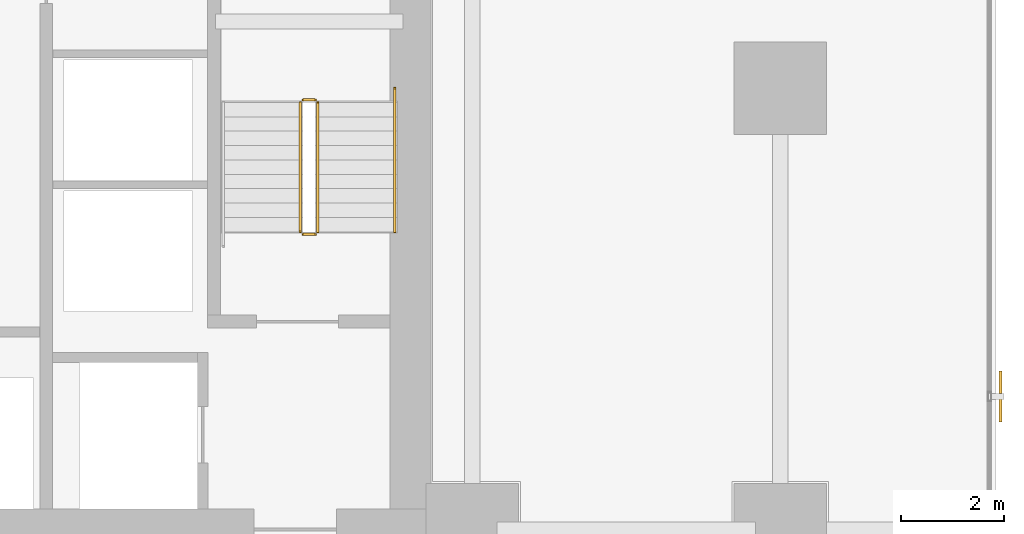
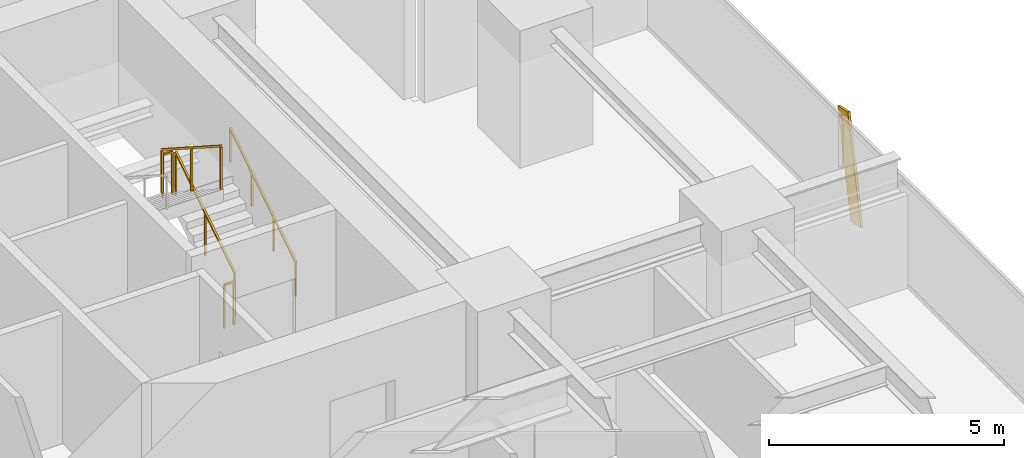
# One storey, part 33 of 34: 5 railings, 1 shading device.
"""IFC4 building model written with IfcOpenShell, lengths in metres."""

from ifc_helpers import new_model, si_unit, direction, frame, origin, origin_2d, place, context, subcontext, project, spatial, rectangle, extrude, source, transform, mapped, material, material_profile, profile_set, type_object, element, save


model = new_model("IFC4")

# Units and contexts
model_context = context("Model", 3, precision=1e-05, world=origin(), true_north=direction((0.0, 1.0)))
body_context = subcontext(model_context, "Body", "Model", "MODEL_VIEW")
ifc_project = project(units=[si_unit("LENGTHUNIT", "METRE"), si_unit("AREAUNIT", "SQUARE_METRE"), si_unit("VOLUMEUNIT", "CUBIC_METRE"), si_unit("PLANEANGLEUNIT", "RADIAN"), si_unit("MASSUNIT", "GRAM", prefix="KILO")], contexts=[model_context])

# Site, building, storey
site_placement = place(None, origin())
site = spatial("IfcSite", under=ifc_project, at=site_placement, CompositionType="ELEMENT")
building_placement = place(site_placement, origin())
building = spatial("IfcBuilding", under=site, at=building_placement, Name="Sumidabori Civic Tower", CompositionType="ELEMENT")
storey_placement = place(building_placement, frame((0.0, 0.0, 41.60009765625)))
storey = spatial("IfcBuildingStorey", under=building, at=storey_placement, Name="L10", CompositionType="ELEMENT", Elevation=41.60009765625)

# Railings
ifc_material_1 = material(Name="Stainless Steel Hairline Finish", Category="steel")
railing_type_1 = type_object("IfcRailingType", Name="RL-HANDRAIL", PredefinedType="HANDRAIL", material=ifc_material_1)
railing_1_placement = place(storey_placement, frame((15.2900390625, 16.0, 0.179931640625)))
element("IfcRailing", 1, at=railing_1_placement, inside=storey, type_object=railing_type_1, Name="L10 ST-2 stair handrail 1", PredefinedType="HANDRAIL", context=body_context, shape_type="SweptSolid", body=[
    extrude(rectangle(XDim=0.048095703125, YDim=0.048095703125, at=origin_2d()), frame((0.0, 0.0, 0.8759765625), z_axis=(0.0, 0.840675598268, 0.541539046124), x_axis=(-1.0, 0.0, 0.0)), (0.0, 0.0, 1.0), 3.330810546875),
    extrude(rectangle(XDim=0.0419921875, YDim=0.0419921875, at=origin_2d()), origin(), (0.0, 0.0, 1.0), 0.851806640625),
    extrude(rectangle(XDim=0.0419921875, YDim=0.0419921875, at=origin_2d()), frame((0.0, 0.933349609375, 0.601318359375)), (0.0, 0.0, 1.0), 0.851806640625),
    extrude(rectangle(XDim=0.0419921875, YDim=0.0419921875, at=origin_2d()), frame((0.0, 1.86669921875, 1.202392578125)), (0.0, 0.0, 1.0), 0.851806640625),
    extrude(rectangle(XDim=0.0419921875, YDim=0.0419921875, at=origin_2d()), frame((0.0, 2.800048828125, 1.8037109375)), (0.0, 0.0, 1.0), 0.851806640625),
])
ifc_material_2 = material(Name="Steel SN490", Category="steel")
railing_type_2 = type_object("IfcRailingType", Name="RL-STAIR-GUARD", PredefinedType="GUARDRAIL", material=ifc_material_2)
railing_2_placement = place(storey_placement, frame((13.7900390625, 16.0, 0.179931640625)))
element("IfcRailing", 2, at=railing_2_placement, inside=storey, type_object=railing_type_2, Name="L10 ST-2 stair guard 1", PredefinedType="GUARDRAIL", context=body_context, shape_type="SweptSolid", body=[
    extrude(rectangle(XDim=0.048095703125, YDim=0.048095703125, at=origin_2d()), frame((0.0, 0.0, 1.1259765625), z_axis=(0.0, 0.841199657755, 0.540724639528), x_axis=(-1.0, 0.0, 0.0)), (0.0, 0.0, 1.0), 2.995849609375),
    extrude(rectangle(XDim=0.0419921875, YDim=0.0419921875, at=origin_2d()), origin(), (0.0, 0.0, 1.0), 1.101806640625),
    extrude(rectangle(XDim=0.0419921875, YDim=0.0419921875, at=origin_2d()), frame((0.0, 1.260009765625, 0.81005859375)), (0.0, 0.0, 1.0), 1.101806640625),
    extrude(rectangle(XDim=0.0419921875, YDim=0.0419921875, at=origin_2d()), frame((0.0, 2.52001953125, 1.619873046875)), (0.0, 0.0, 1.0), 1.101806640625),
])
railing_3_placement = place(storey_placement, frame((13.739990234375, 18.570068359375, 1.7998046875)))
element("IfcRailing", 3, at=railing_3_placement, inside=storey, type_object=railing_type_2, Name="L10 ST-2 stair guard 2", PredefinedType="GUARDRAIL", context=body_context, shape_type="SweptSolid", body=[
    extrude(rectangle(XDim=0.048095703125, YDim=0.048095703125, at=origin_2d()), frame((0.0, 0.0, 1.1259765625), z_axis=(-1.0, 0.0, 0.0), x_axis=(0.0, -1.0, 0.0)), (0.0, 0.0, 1.0), 0.239990234375),
    extrude(rectangle(XDim=0.0419921875, YDim=0.0419921875, at=origin_2d()), origin(), (0.0, 0.0, 1.0), 1.101806640625),
    extrude(rectangle(XDim=0.0419921875, YDim=0.0419921875, at=origin_2d()), frame((-0.239990234375, 0.0, 0.0)), (0.0, 0.0, 1.0), 1.101806640625),
])
railing_4_placement = place(storey_placement, frame((13.449951171875, 18.52001953125, 1.97998046875)))
element("IfcRailing", 4, at=railing_4_placement, inside=storey, type_object=railing_type_2, Name="L10 ST-2 stair guard 3", PredefinedType="GUARDRAIL", context=body_context, shape_type="SweptSolid", body=[
    extrude(rectangle(XDim=0.048095703125, YDim=0.048095703125, at=origin_2d()), frame((0.0, 0.0, 1.1259765625), z_axis=(0.0, -0.841199657755, 0.540724639528), x_axis=(1.0, 0.0, 0.0)), (0.0, 0.0, 1.0), 2.995849609375),
    extrude(rectangle(XDim=0.0419921875, YDim=0.0419921875, at=origin_2d()), origin(), (0.0, 0.0, 1.0), 1.101806640625),
    extrude(rectangle(XDim=0.0419921875, YDim=0.0419921875, at=origin_2d()), frame((0.0, -1.260009765625, 0.81005859375)), (0.0, 0.0, 1.0), 1.101806640625),
    extrude(rectangle(XDim=0.0419921875, YDim=0.0419921875, at=origin_2d()), frame((0.0, -2.52001953125, 1.619873046875)), (0.0, 0.0, 1.0), 1.101806640625),
])
railing_5_placement = place(storey_placement, frame((13.739990234375, 15.949951171875, 0.0)))
element("IfcRailing", 5, at=railing_5_placement, inside=storey, type_object=railing_type_2, Name="L10 ST-2 stair guard 4", PredefinedType="GUARDRAIL", context=body_context, shape_type="SweptSolid", body=[
    extrude(rectangle(XDim=0.048095703125, YDim=0.048095703125, at=origin_2d()), frame((0.0, 0.0, 1.1259765625), z_axis=(-1.0, 0.0, 0.0), x_axis=(0.0, -1.0, 0.0)), (0.0, 0.0, 1.0), 0.239990234375),
    extrude(rectangle(XDim=0.0419921875, YDim=0.0419921875, at=origin_2d()), origin(), (0.0, 0.0, 1.0), 1.101806640625),
    extrude(rectangle(XDim=0.0419921875, YDim=0.0419921875, at=origin_2d()), frame((-0.239990234375, 0.0, 0.0)), (0.0, 0.0, 1.0), 1.101806640625),
])

# Shading device
ifc_material_3 = material(Name="Anodised Bronze Aluminium AW-6063-T6", Category="aluminium")
ifc_material_profile = material_profile(ifc_material_3, rectangle(XDim=0.06005859375, YDim=0.449951171875, at=origin_2d()), Name="BRONZE FIN 450x60")
ifc_profile_set = profile_set([ifc_material_profile], Name="Anodised Bronze Aluminium AW-6063-T6")
shading_device_type = type_object("IfcShadingDeviceType", Name="SH-FIN-450", PredefinedType="USERDEFINED", material=ifc_profile_set)
shared_shape = source(origin(), body_context, "Body", "SweptSolid", [
    extrude(rectangle(XDim=0.06005859375, YDim=0.449951171875, at=origin_2d()), origin(), (0.0, 0.0, 1.0), 2.73779296875),
])
shading_device_placement = place(storey_placement, frame((27.090087890625, 12.511962890625, 0.02001953125), z_axis=(0.0, 0.204563143937, 0.978853370093), x_axis=(-1.0, 0.0, 0.0)))
element("IfcShadingDevice", 6, at=shading_device_placement, inside=storey, type_object=shading_device_type, Name="Bronze Anodised Diagonal Fin L10-04", ObjectType="FIN", PredefinedType="USERDEFINED", context=body_context, shape_type="MappedRepresentation", body=[
    mapped(shared_shape, transform((0.0, 0.0, 0.0), x_axis=(1.0, 0.0, 0.0), y_axis=(0.0, 1.0, 0.0), z_axis=(0.0, 0.0, 1.0), scale=1.0)),
])

save(model, "model.ifc")
